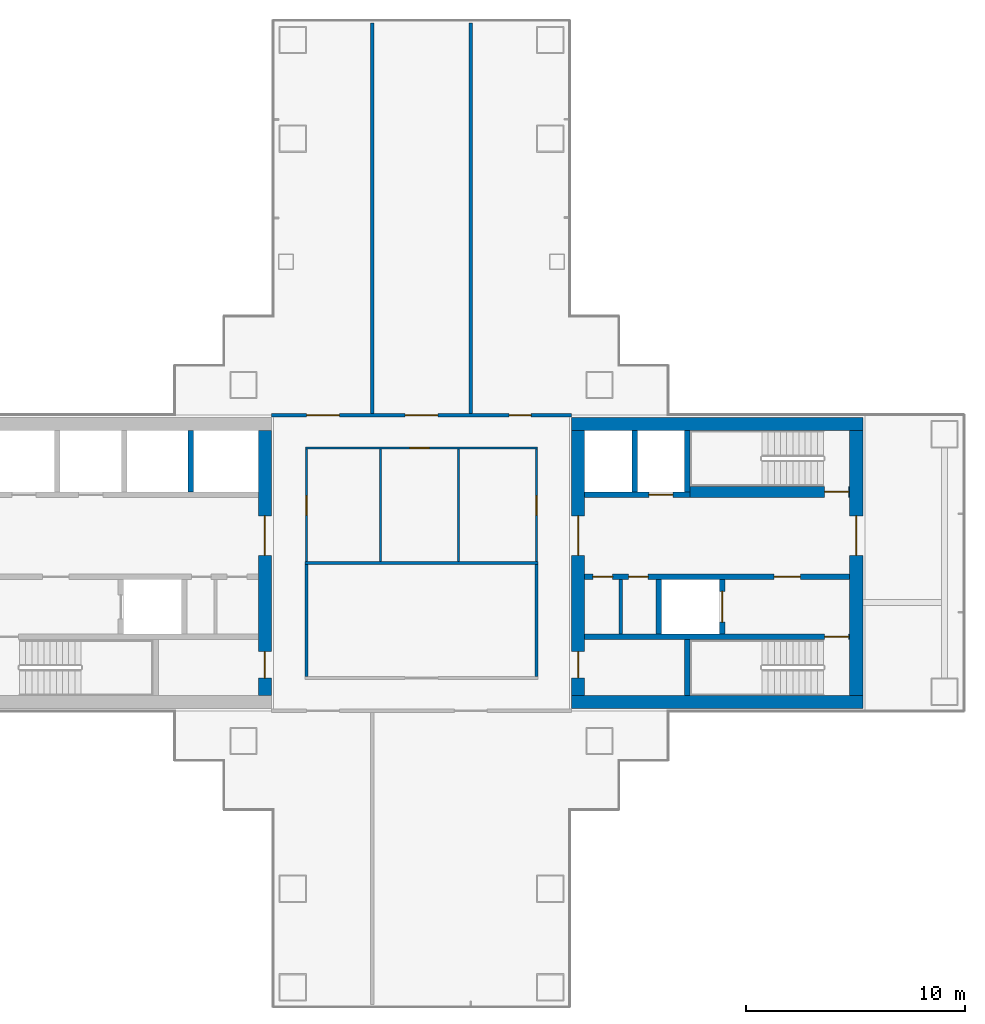
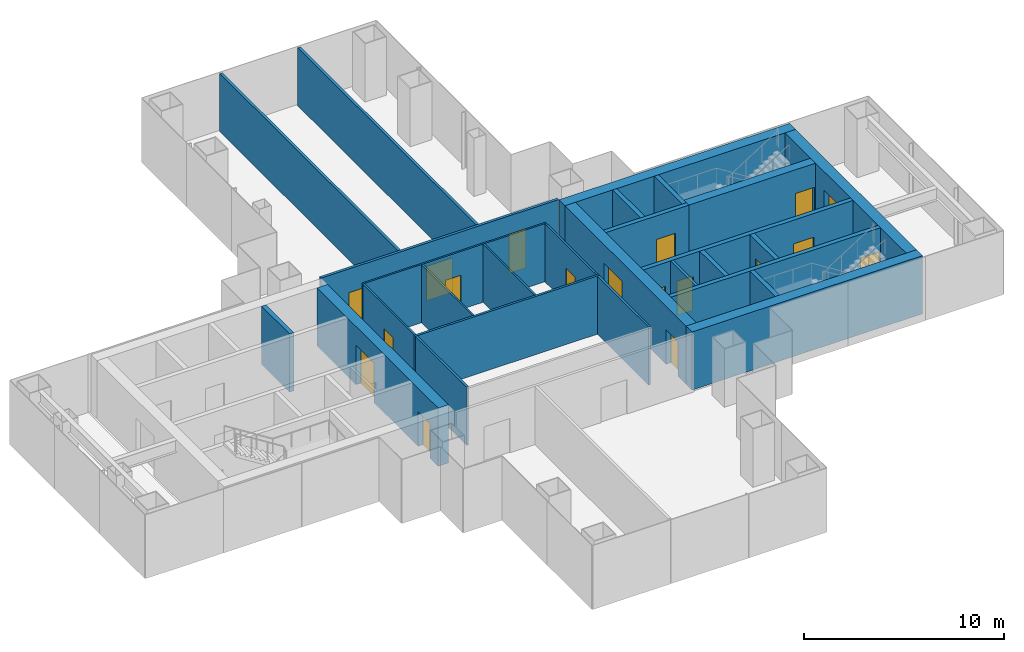
# One storey, part 14 of 18: 27 walls, 18 doors, 18 openings.
"""IFC4 building model written with IfcOpenShell, lengths in metres."""

from ifc_helpers import new_model, si_unit, direction, frame, frame_2d, origin, place, context, subcontext, project, spatial, rectangle, extrude, material, layer, layer_set, type_object, element, fill, save


model = new_model("IFC4")

# Units and contexts
model_context = context("Model", 3, precision=1e-05, world=origin(), true_north=direction((0.0, 1.0)))
body_context = subcontext(model_context, "Body", "Model", "MODEL_VIEW")
ifc_project = project(units=[si_unit("LENGTHUNIT", "METRE"), si_unit("AREAUNIT", "SQUARE_METRE"), si_unit("VOLUMEUNIT", "CUBIC_METRE"), si_unit("PLANEANGLEUNIT", "RADIAN"), si_unit("MASSUNIT", "GRAM", prefix="KILO")], contexts=[model_context])

# Site, building, storey
site_placement = place(None, origin())
site = spatial("IfcSite", under=ifc_project, at=site_placement, CompositionType="ELEMENT")
building_placement = place(site_placement, origin())
building = spatial("IfcBuilding", under=site, at=building_placement, Name="Shamsa Quay Exchange Towers", CompositionType="ELEMENT")
storey_placement = place(building_placement, frame((0.0, 0.0, 113.10009765625)))
storey = spatial("IfcBuildingStorey", under=building, at=storey_placement, Name="L26", CompositionType="ELEMENT", Elevation=113.10009765625)

# Wall, openings, doors
ifc_material_1 = material(Name="Concrete C70/85", Category="concrete")
ifc_layer_1 = layer(ifc_material_1, 0.60009765625)
ifc_layer_set_1 = layer_set([ifc_layer_1], Name="CORE WALL 600 C70/85")
wall_type_1 = type_object("IfcWallType", Name="CORE WALL 600 C70/85", PredefinedType="SHEAR", material=ifc_layer_set_1)
wall_1_placement = place(storey_placement, frame((26.60009765625, 6.050048828125, 0.0), z_axis=(0.0, 0.0, 1.0), x_axis=(0.0, -1.0, 0.0)))
wall_1 = element("IfcWall", 1, at=wall_1_placement, inside=storey, type_object=wall_type_1, Name="Core wall T2A-R12-PB", PredefinedType="SHEAR", context=body_context, shape_type="SweptSolid", body=[
    extrude(rectangle(XDim=12.10009765625, YDim=0.60009765625, at=frame_2d((6.050048828125, 0.0))), origin(), (0.0, 0.0, 1.0), 3.5498046875),
])
opening_1_placement = place(wall_1_placement, frame((10.10009765625, 0.0, 0.0)))
opening_1 = element("IfcOpeningElement", 2, at=opening_1_placement, cuts=wall_1, Name="Opening T2A-R12-RD02", PredefinedType="OPENING", context=body_context, shape_type="SweptSolid", body=[
    extrude(rectangle(XDim=1.199951171875, YDim=2.10009765625, at=frame_2d((0.60009765625, 1.050048828125))), frame((0.0, 0.31005859375, 0.0), z_axis=(0.0, -1.0, 0.0), x_axis=(1.0, 0.0, 0.0)), (0.0, 0.0, 1.0), 0.6201171875),
])
opening_2_placement = place(wall_1_placement, frame((3.89990234375, 0.0, 0.0)))
opening_2 = element("IfcOpeningElement", 3, at=opening_2_placement, cuts=wall_1, Name="Opening T2A-R12-LBD03", PredefinedType="OPENING", context=body_context, shape_type="SweptSolid", body=[
    extrude(rectangle(XDim=1.800048828125, YDim=2.39990234375, at=frame_2d((0.89990234375, 1.199951171875))), frame((0.0, 0.31005859375, 0.0), z_axis=(0.0, -1.0, 0.0), x_axis=(1.0, 0.0, 0.0)), (0.0, 0.0, 1.0), 0.6201171875),
])
ifc_material_2 = material(Name="Steel, fire rated", Category="steel")
door_type_1 = type_object("IfcDoorType", Name="LIFT LOBBY DOOR PAIR 1800", OperationType="DOUBLE_DOOR_SINGLE_SWING", PredefinedType="DOOR", material=ifc_material_2)
door_1_placement = place(opening_2_placement, origin())
door_1 = element("IfcDoor", 4, at=door_1_placement, inside=storey, type_object=door_type_1, Name="T2A-R12-LBD03", OperationType="DOUBLE_DOOR_SINGLE_SWING", OverallHeight=2.39990234375, OverallWidth=1.800048828125, PredefinedType="DOOR", context=body_context, shape_type="SweptSolid", body=[
    extrude(rectangle(XDim=1.800048828125, YDim=2.39990234375, at=frame_2d((0.89990234375, 1.199951171875))), frame((0.0, 0.02490234375, 0.0), z_axis=(0.0, -1.0, 0.0), x_axis=(1.0, 0.0, 0.0)), (0.0, 0.0, 1.0), 0.050048828125),
])
fill(opening_2, door_1)
door_type_2 = type_object("IfcDoorType", Name="RISER ACCESS DOOR 1200", OperationType="SINGLE_SWING_LEFT", PredefinedType="DOOR", material=ifc_material_2)
door_2_placement = place(opening_1_placement, origin())
door_2 = element("IfcDoor", 5, at=door_2_placement, inside=storey, type_object=door_type_2, Name="T2A-R12-RD02", OperationType="SINGLE_SWING_RIGHT", OverallHeight=2.10009765625, OverallWidth=1.199951171875, PredefinedType="DOOR", context=body_context, shape_type="SweptSolid", body=[
    extrude(rectangle(XDim=1.199951171875, YDim=2.10009765625, at=frame_2d((0.60009765625, 1.050048828125))), frame((0.0, 0.02490234375, 0.0), z_axis=(0.0, -1.0, 0.0), x_axis=(1.0, 0.0, 0.0)), (0.0, 0.0, 1.0), 0.050048828125),
])
fill(opening_1, door_2)

# Walls
for number, where, z_axis, x_axis, name in (
    (6, (53.89990234375, -6.35009765625, 0.0), (0.0, 0.0, 1.0), (-1.0, 0.0, 0.0), "Core wall T2B-R12-PS"),
    (7, (53.89990234375, 6.35009765625, 0.0), (0.0, 0.0, 1.0), (-1.0, 0.0, 0.0), "Core wall T2B-R12-PN"),
):
    element("IfcWall", number, at=place(storey_placement, frame(where, z_axis=z_axis, x_axis=x_axis)), inside=storey, type_object=wall_type_1, Name=name, PredefinedType="SHEAR", context=body_context, shape_type="SweptSolid", body=[
        extrude(rectangle(XDim=13.2998046875, YDim=0.60009765625, at=frame_2d((6.64990234375, 0.0))), origin(), (0.0, 0.0, 1.0), 3.5498046875),
    ])

# Wall, opening, door
wall_2_placement = place(storey_placement, frame((53.60009765625, -6.050048828125, 0.0), z_axis=(0.0, 0.0, 1.0), x_axis=(0.0, 1.0, 0.0)))
wall_2 = element("IfcWall", 8, at=wall_2_placement, inside=storey, type_object=wall_type_1, Name="Core wall T2B-R12-PF", PredefinedType="SHEAR", context=body_context, shape_type="SweptSolid", body=[
    extrude(rectangle(XDim=12.10009765625, YDim=0.60009765625, at=frame_2d((6.050048828125, 0.0))), origin(), (0.0, 0.0, 1.0), 3.5498046875),
])
opening_3_placement = place(wall_2_placement, frame((6.39990234375, 0.0, 0.0)))
opening_3 = element("IfcOpeningElement", 9, at=opening_3_placement, cuts=wall_2, Name="Opening T2B-R12-LBD01", PredefinedType="OPENING", context=body_context, shape_type="SweptSolid", body=[
    extrude(rectangle(XDim=1.800048828125, YDim=2.39990234375, at=frame_2d((0.89990234375, 1.199951171875))), frame((0.0, 0.31005859375, 0.0), z_axis=(0.0, -1.0, 0.0), x_axis=(1.0, 0.0, 0.0)), (0.0, 0.0, 1.0), 0.6201171875),
])
door_3_placement = place(opening_3_placement, origin())
door_3 = element("IfcDoor", 10, at=door_3_placement, inside=storey, type_object=door_type_1, Name="T2B-R12-LBD01", OperationType="DOUBLE_DOOR_SINGLE_SWING", OverallHeight=2.39990234375, OverallWidth=1.800048828125, PredefinedType="DOOR", context=body_context, shape_type="SweptSolid", body=[
    extrude(rectangle(XDim=1.800048828125, YDim=2.39990234375, at=frame_2d((0.89990234375, 1.199951171875))), frame((0.0, 0.02490234375, 0.0), z_axis=(0.0, -1.0, 0.0), x_axis=(1.0, 0.0, 0.0)), (0.0, 0.0, 1.0), 0.050048828125),
])
fill(opening_3, door_3)

# Wall, openings, doors
wall_3_placement = place(storey_placement, frame((40.89990234375, -6.050048828125, 0.0), z_axis=(0.0, 0.0, 1.0), x_axis=(0.0, 1.0, 0.0)))
wall_3 = element("IfcWall", 11, at=wall_3_placement, inside=storey, type_object=wall_type_1, Name="Core wall T2B-R12-PB", PredefinedType="SHEAR", context=body_context, shape_type="SweptSolid", body=[
    extrude(rectangle(XDim=12.10009765625, YDim=0.60009765625, at=frame_2d((6.050048828125, 0.0))), origin(), (0.0, 0.0, 1.0), 3.5498046875),
])
opening_4_placement = place(wall_3_placement, frame((0.800048828125, 0.0, 0.0)))
opening_4 = element("IfcOpeningElement", 12, at=opening_4_placement, cuts=wall_3, Name="Opening T2B-R12-RD02", PredefinedType="OPENING", context=body_context, shape_type="SweptSolid", body=[
    extrude(rectangle(XDim=1.199951171875, YDim=2.10009765625, at=frame_2d((0.60009765625, 1.050048828125))), frame((0.0, 0.31005859375, 0.0), z_axis=(0.0, -1.0, 0.0), x_axis=(1.0, 0.0, 0.0)), (0.0, 0.0, 1.0), 0.6201171875),
])
opening_5_placement = place(wall_3_placement, frame((6.39990234375, 0.0, 0.0)))
opening_5 = element("IfcOpeningElement", 13, at=opening_5_placement, cuts=wall_3, Name="Opening T2B-R12-LBD03", PredefinedType="OPENING", context=body_context, shape_type="SweptSolid", body=[
    extrude(rectangle(XDim=1.800048828125, YDim=2.39990234375, at=frame_2d((0.89990234375, 1.199951171875))), frame((0.0, 0.31005859375, 0.0), z_axis=(0.0, -1.0, 0.0), x_axis=(1.0, 0.0, 0.0)), (0.0, 0.0, 1.0), 0.6201171875),
])
door_4_placement = place(opening_5_placement, origin())
door_4 = element("IfcDoor", 14, at=door_4_placement, inside=storey, type_object=door_type_1, Name="T2B-R12-LBD03", OperationType="DOUBLE_DOOR_SINGLE_SWING", OverallHeight=2.39990234375, OverallWidth=1.800048828125, PredefinedType="DOOR", context=body_context, shape_type="SweptSolid", body=[
    extrude(rectangle(XDim=1.800048828125, YDim=2.39990234375, at=frame_2d((0.89990234375, 1.199951171875))), frame((0.0, 0.02490234375, 0.0), z_axis=(0.0, -1.0, 0.0), x_axis=(1.0, 0.0, 0.0)), (0.0, 0.0, 1.0), 0.050048828125),
])
fill(opening_5, door_4)
door_5_placement = place(opening_4_placement, origin())
door_5 = element("IfcDoor", 15, at=door_5_placement, inside=storey, type_object=door_type_2, Name="T2B-R12-RD02", OperationType="SINGLE_SWING_LEFT", OverallHeight=2.10009765625, OverallWidth=1.199951171875, PredefinedType="DOOR", context=body_context, shape_type="SweptSolid", body=[
    extrude(rectangle(XDim=1.199951171875, YDim=2.10009765625, at=frame_2d((0.60009765625, 1.050048828125))), frame((0.0, 0.02490234375, 0.0), z_axis=(0.0, -1.0, 0.0), x_axis=(1.0, 0.0, 0.0)), (0.0, 0.0, 1.0), 0.050048828125),
])
fill(opening_4, door_5)

# Walls
ifc_material_3 = material(Name="Gypsum board on steel studs, EI 60", Category="steel")
ifc_layer_2 = layer(ifc_material_3, 0.14990234375)
ifc_layer_set_2 = layer_set([ifc_layer_2], Name="FIRE PARTITION 150")
wall_type_2 = type_object("IfcWallType", Name="FIRE PARTITION 150", PredefinedType="PARTITIONING", material=ifc_layer_set_2)
wall_4_placement = place(storey_placement, frame((42.85009765625, -3.25, 0.0), z_axis=(0.0, 0.0, 1.0), x_axis=(0.0, 1.0, 0.0)))
element("IfcWall", 16, at=wall_4_placement, inside=storey, type_object=wall_type_2, Name="Partition T2B-R12-EC0", PredefinedType="PARTITIONING", context=body_context, shape_type="SweptSolid", body=[
    extrude(rectangle(XDim=2.5, YDim=0.14990234375, at=frame_2d((1.25, 0.0))), origin(), (0.0, 0.0, 1.0), 3.5498046875),
])
ifc_material_4 = material(Name="Laminated fire-resisting glass in a metal frame", Category="glass")
ifc_layer_3 = layer(ifc_material_4, 0.125)
ifc_layer_set_3 = layer_set([ifc_layer_3], Name="Glazed partition 125 mm EI 60")
wall_type_3 = type_object("IfcWallType", Name="Glazed partition 125 mm EI 60", PredefinedType="PARTITIONING", material=ifc_layer_set_3)
for number, where, z_axis, x_axis, name in (
    (17, (39.0, -5.1875, 0.0), (0.0, 0.0, 1.0), (0.0, 1.0, 0.0), "Partition T2-R12-W01"),
    (18, (28.5, -0.0625, 0.0), (0.0, 0.0, 1.0), (0.0, -1.0, 0.0), "Partition T2-R12-W03"),
):
    element("IfcWall", number, at=place(storey_placement, frame(where, z_axis=z_axis, x_axis=x_axis)), inside=storey, type_object=wall_type_3, Name=name, PredefinedType="PARTITIONING", context=body_context, shape_type="SweptSolid", body=[
        extrude(rectangle(XDim=5.125, YDim=0.125, at=frame_2d((2.5625, 0.0))), origin(), (0.0, 0.0, 1.0), 3.5498046875),
    ])
wall_5_placement = place(storey_placement, frame((39.0625, 0.0, 0.0), z_axis=(0.0, 0.0, 1.0), x_axis=(-1.0, 0.0, 0.0)))
element("IfcWall", 19, at=wall_5_placement, inside=storey, type_object=wall_type_3, Name="Partition T2-R12-W09", PredefinedType="PARTITIONING", context=body_context, shape_type="SweptSolid", body=[
    extrude(rectangle(XDim=10.625, YDim=0.125, at=frame_2d((5.3125, 0.0))), origin(), (0.0, 0.0, 1.0), 3.5498046875),
])

# Wall, opening, door
ifc_material_5 = material(Name="Gypsum board partition on metal studs")
ifc_layer_4 = layer(ifc_material_5, 0.10009765625)
ifc_layer_set_4 = layer_set([ifc_layer_4], Name="Partition 100 mm NOT RATED")
wall_type_4 = type_object("IfcWallType", Name="Partition 100 mm NOT RATED", PredefinedType="PARTITIONING", material=ifc_layer_set_4)
wall_6_placement = place(storey_placement, frame((39.0, 0.0625, 0.0), z_axis=(0.0, 0.0, 1.0), x_axis=(0.0, 1.0, 0.0)))
wall_6 = element("IfcWall", 20, at=wall_6_placement, inside=storey, type_object=wall_type_4, Name="Partition T2-R12-W04", PredefinedType="PARTITIONING", context=body_context, shape_type="SweptSolid", body=[
    extrude(rectangle(XDim=5.137451171875, YDim=0.10009765625, at=frame_2d((2.56884765625, 0.0))), origin(), (0.0, 0.0, 1.0), 3.5498046875),
])
opening_6_placement = place(wall_6_placement, frame((2.112548828125, 0.0, 0.0)))
opening_6 = element("IfcOpeningElement", 21, at=opening_6_placement, cuts=wall_6, Name="Opening T2-R12-D05", PredefinedType="OPENING", context=body_context, shape_type="SweptSolid", body=[
    extrude(rectangle(XDim=0.89990234375, YDim=2.10009765625, at=frame_2d((0.449951171875, 1.050048828125))), frame((0.0, 0.06005859375, 0.0), z_axis=(0.0, -1.0, 0.0), x_axis=(1.0, 0.0, 0.0)), (0.0, 0.0, 1.0), 0.1201171875),
])
ifc_material_6 = material(Name="Timber door leaf in a metal frame", Category="wood")
door_type_3 = type_object("IfcDoorType", Name="Door 900x2100 NOT RATED", OperationType="NOTDEFINED", PredefinedType="DOOR", material=ifc_material_6)
door_6_placement = place(opening_6_placement, origin())
door_6 = element("IfcDoor", 22, at=door_6_placement, inside=storey, type_object=door_type_3, Name="Door T2-R12-D05", OperationType="SINGLE_SWING_RIGHT", OverallHeight=2.10009765625, OverallWidth=0.89990234375, PredefinedType="DOOR", context=body_context, shape_type="SweptSolid", body=[
    extrude(rectangle(XDim=0.89990234375, YDim=2.10009765625, at=frame_2d((0.449951171875, 1.050048828125))), frame((0.0, 0.02490234375, 0.0), z_axis=(0.0, -1.0, 0.0), x_axis=(1.0, 0.0, 0.0)), (0.0, 0.0, 1.0), 0.050048828125),
])
fill(opening_6, door_6)

wall_7_placement = place(storey_placement, frame((39.050048828125, 5.25, 0.0), z_axis=(0.0, 0.0, 1.0), x_axis=(-1.0, 0.0, 0.0)))
wall_7 = element("IfcWall", 23, at=wall_7_placement, inside=storey, type_object=wall_type_4, Name="Partition T2-R12-W05", PredefinedType="PARTITIONING", context=body_context, shape_type="SweptSolid", body=[
    extrude(rectangle(XDim=10.60009765625, YDim=0.10009765625, at=frame_2d((5.300048828125, 0.0))), origin(), (0.0, 0.0, 1.0), 3.5498046875),
])
opening_7_placement = place(wall_7_placement, frame((4.943603515625, 0.0, 0.0)))
opening_7 = element("IfcOpeningElement", 24, at=opening_7_placement, cuts=wall_7, Name="Opening T2-R12-D07", PredefinedType="OPENING", context=body_context, shape_type="SweptSolid", body=[
    extrude(rectangle(XDim=0.89990234375, YDim=2.10009765625, at=frame_2d((0.449951171875, 1.050048828125))), frame((0.0, 0.06005859375, 0.0), z_axis=(0.0, -1.0, 0.0), x_axis=(1.0, 0.0, 0.0)), (0.0, 0.0, 1.0), 0.1201171875),
])
door_7_placement = place(opening_7_placement, origin())
door_7 = element("IfcDoor", 25, at=door_7_placement, inside=storey, type_object=door_type_3, Name="Door T2-R12-D07", OperationType="SINGLE_SWING_RIGHT", OverallHeight=2.10009765625, OverallWidth=0.89990234375, PredefinedType="DOOR", context=body_context, shape_type="SweptSolid", body=[
    extrude(rectangle(XDim=0.89990234375, YDim=2.10009765625, at=frame_2d((0.449951171875, 1.050048828125))), frame((0.0, 0.02490234375, 0.0), z_axis=(0.0, -1.0, 0.0), x_axis=(1.0, 0.0, 0.0)), (0.0, 0.0, 1.0), 0.050048828125),
])
fill(opening_7, door_7)

wall_8_placement = place(storey_placement, frame((28.5, 5.199951171875, 0.0), z_axis=(0.0, 0.0, 1.0), x_axis=(0.0, -1.0, 0.0)))
wall_8 = element("IfcWall", 26, at=wall_8_placement, inside=storey, type_object=wall_type_4, Name="Partition T2-R12-W06", PredefinedType="PARTITIONING", context=body_context, shape_type="SweptSolid", body=[
    extrude(rectangle(XDim=5.137451171875, YDim=0.10009765625, at=frame_2d((2.56884765625, 0.0))), origin(), (0.0, 0.0, 1.0), 3.5498046875),
])
opening_8_placement = place(wall_8_placement, frame((2.125, 0.0, 0.0)))
opening_8 = element("IfcOpeningElement", 27, at=opening_8_placement, cuts=wall_8, Name="Opening T2-R12-D06", PredefinedType="OPENING", context=body_context, shape_type="SweptSolid", body=[
    extrude(rectangle(XDim=0.89990234375, YDim=2.10009765625, at=frame_2d((0.449951171875, 1.050048828125))), frame((0.0, 0.06005859375, 0.0), z_axis=(0.0, -1.0, 0.0), x_axis=(1.0, 0.0, 0.0)), (0.0, 0.0, 1.0), 0.1201171875),
])
door_8_placement = place(opening_8_placement, origin())
door_8 = element("IfcDoor", 28, at=door_8_placement, inside=storey, type_object=door_type_3, Name="Door T2-R12-D06", OperationType="SINGLE_SWING_LEFT", OverallHeight=2.10009765625, OverallWidth=0.89990234375, PredefinedType="DOOR", context=body_context, shape_type="SweptSolid", body=[
    extrude(rectangle(XDim=0.89990234375, YDim=2.10009765625, at=frame_2d((0.449951171875, 1.050048828125))), frame((0.0, 0.02490234375, 0.0), z_axis=(0.0, -1.0, 0.0), x_axis=(1.0, 0.0, 0.0)), (0.0, 0.0, 1.0), 0.050048828125),
])
fill(opening_8, door_8)

# Walls
for number, where, z_axis, x_axis, name in (
    (29, (35.4375, 5.199951171875, 0.0), (0.0, 0.0, 1.0), (0.0, -1.0, 0.0), "Partition T2-R12-W10"),
    (30, (31.875, 5.199951171875, 0.0), (0.0, 0.0, 1.0), (0.0, -1.0, 0.0), "Partition T2-R12-W11"),
):
    element("IfcWall", number, at=place(storey_placement, frame(where, z_axis=z_axis, x_axis=x_axis)), inside=storey, type_object=wall_type_4, Name=name, PredefinedType="PARTITIONING", context=body_context, shape_type="SweptSolid", body=[
        extrude(rectangle(XDim=5.137451171875, YDim=0.10009765625, at=frame_2d((2.56884765625, 0.0))), origin(), (0.0, 0.0, 1.0), 3.5498046875),
    ])

# Wall, openings, doors
ifc_layer_5 = layer(ifc_material_5, 0.14990234375)
ifc_layer_set_5 = layer_set([ifc_layer_5], Name="Partition 150 mm EI 60")
wall_type_5 = type_object("IfcWallType", Name="Partition 150 mm EI 60", PredefinedType="PARTITIONING", material=ifc_layer_set_5)
wall_9_placement = place(storey_placement, frame((26.89990234375, 6.75, 0.0)))
wall_9 = element("IfcWall", 31, at=wall_9_placement, inside=storey, type_object=wall_type_5, Name="Partition T2-R12-W07", PredefinedType="PARTITIONING", context=body_context, shape_type="SweptSolid", body=[
    extrude(rectangle(XDim=13.7001953125, YDim=0.14990234375, at=frame_2d((6.85009765625, 0.0))), origin(), (0.0, 0.0, 1.0), 3.5498046875),
])
opening_9_placement = place(wall_9_placement, frame((10.85009765625, 0.0, 0.0)))
opening_9 = element("IfcOpeningElement", 32, at=opening_9_placement, cuts=wall_9, Name="Opening T2-R12-D01", PredefinedType="OPENING", context=body_context, shape_type="SweptSolid", body=[
    extrude(rectangle(XDim=1.0, YDim=2.39990234375, at=frame_2d((0.5, 1.199951171875))), frame((0.0, 0.0849609375, 0.0), z_axis=(0.0, -1.0, 0.0), x_axis=(1.0, 0.0, 0.0)), (0.0, 0.0, 1.0), 0.169921875),
])
opening_10_placement = place(wall_9_placement, frame((6.10009765625, 0.0, 0.0)))
opening_10 = element("IfcOpeningElement", 33, at=opening_10_placement, cuts=wall_9, Name="Opening T2-R12-D02", PredefinedType="OPENING", context=body_context, shape_type="SweptSolid", body=[
    extrude(rectangle(XDim=1.5, YDim=2.10009765625, at=frame_2d((0.75, 1.050048828125))), frame((0.0, 0.0849609375, 0.0), z_axis=(0.0, -1.0, 0.0), x_axis=(1.0, 0.0, 0.0)), (0.0, 0.0, 1.0), 0.169921875),
])
opening_11_placement = place(wall_9_placement, frame((1.60009765625, 0.0, 0.0)))
opening_11 = element("IfcOpeningElement", 34, at=opening_11_placement, cuts=wall_9, Name="Opening T2-R12-D03", PredefinedType="OPENING", context=body_context, shape_type="SweptSolid", body=[
    extrude(rectangle(XDim=1.5, YDim=2.10009765625, at=frame_2d((0.75, 1.050048828125))), frame((0.0, 0.0849609375, 0.0), z_axis=(0.0, -1.0, 0.0), x_axis=(1.0, 0.0, 0.0)), (0.0, 0.0, 1.0), 0.169921875),
])
door_type_4 = type_object("IfcDoorType", Name="Door 1000x2400 FD30S", OperationType="NOTDEFINED", PredefinedType="DOOR", material=ifc_material_6)
door_9_placement = place(opening_9_placement, origin())
door_9 = element("IfcDoor", 35, at=door_9_placement, inside=storey, type_object=door_type_4, Name="Door T2-R12-D01", OperationType="SINGLE_SWING_RIGHT", OverallHeight=2.39990234375, OverallWidth=1.0, PredefinedType="DOOR", context=body_context, shape_type="SweptSolid", body=[
    extrude(rectangle(XDim=1.0, YDim=2.39990234375, at=frame_2d((0.5, 1.199951171875))), frame((0.0, 0.02490234375, 0.0), z_axis=(0.0, -1.0, 0.0), x_axis=(1.0, 0.0, 0.0)), (0.0, 0.0, 1.0), 0.050048828125),
])
fill(opening_9, door_9)
door_type_5 = type_object("IfcDoorType", Name="Door 1500x2100 FD30S pair", OperationType="NOTDEFINED", PredefinedType="DOOR", material=ifc_material_6)
door_10_placement = place(opening_10_placement, origin())
door_10 = element("IfcDoor", 36, at=door_10_placement, inside=storey, type_object=door_type_5, Name="Door T2-R12-D02", OperationType="DOUBLE_DOOR_SINGLE_SWING", OverallHeight=2.10009765625, OverallWidth=1.5, PredefinedType="DOOR", context=body_context, shape_type="SweptSolid", body=[
    extrude(rectangle(XDim=1.5, YDim=2.10009765625, at=frame_2d((0.75, 1.050048828125))), frame((0.0, 0.02490234375, 0.0), z_axis=(0.0, -1.0, 0.0), x_axis=(1.0, 0.0, 0.0)), (0.0, 0.0, 1.0), 0.050048828125),
])
fill(opening_10, door_10)
door_11_placement = place(opening_11_placement, origin())
door_11 = element("IfcDoor", 37, at=door_11_placement, inside=storey, type_object=door_type_5, Name="Door T2-R12-D03", OperationType="DOUBLE_DOOR_SINGLE_SWING", OverallHeight=2.10009765625, OverallWidth=1.5, PredefinedType="DOOR", context=body_context, shape_type="SweptSolid", body=[
    extrude(rectangle(XDim=1.5, YDim=2.10009765625, at=frame_2d((0.75, 1.050048828125))), frame((0.0, 0.02490234375, 0.0), z_axis=(0.0, -1.0, 0.0), x_axis=(1.0, 0.0, 0.0)), (0.0, 0.0, 1.0), 0.050048828125),
])
fill(opening_11, door_11)

# Walls
for number, where, z_axis, x_axis, name in (
    (38, (36.0, 24.655029296875, 0.0), (0.0, 0.0, 1.0), (0.0, -1.0, 0.0), "Partition T2-R12-W12"),
    (39, (31.5, 24.655029296875, 0.0), (0.0, 0.0, 1.0), (0.0, -1.0, 0.0), "Partition T2-R12-W14"),
):
    element("IfcWall", number, at=place(storey_placement, frame(where, z_axis=z_axis, x_axis=x_axis)), inside=storey, type_object=wall_type_5, Name=name, PredefinedType="PARTITIONING", context=body_context, shape_type="SweptSolid", body=[
        extrude(rectangle(XDim=17.830078125, YDim=0.14990234375, at=frame_2d((8.9150390625, 0.0))), origin(), (0.0, 0.0, 1.0), 3.5498046875),
    ])
ifc_material_7 = material(Name="Concrete C50/60", Category="concrete")
ifc_layer_6 = layer(ifc_material_7, 0.25)
ifc_layer_set_6 = layer_set([ifc_layer_6], Name="SHAFT WALL 250 C50/60")
wall_type_6 = type_object("IfcWallType", Name="SHAFT WALL 250 C50/60", PredefinedType="SHEAR", material=ifc_layer_set_6)
wall_10_placement = place(storey_placement, frame((23.22509765625, 3.25, 0.0), z_axis=(0.0, 0.0, 1.0), x_axis=(0.0, 1.0, 0.0)))
element("IfcWall", 40, at=wall_10_placement, inside=storey, type_object=wall_type_6, Name="Shaft wall T2A-R12-D2", PredefinedType="SHEAR", context=body_context, shape_type="SweptSolid", body=[
    extrude(rectangle(XDim=2.800048828125, YDim=0.25, at=frame_2d((1.39990234375, 0.0))), origin(), (0.0, 0.0, 1.0), 3.5498046875),
])

# Wall, opening, door
wall_11_placement = place(storey_placement, frame((53.300048828125, -3.375, 0.0), z_axis=(0.0, 0.0, 1.0), x_axis=(-1.0, 0.0, 0.0)))
wall_11 = element("IfcWall", 41, at=wall_11_placement, inside=storey, type_object=wall_type_6, Name="Shaft wall T2B-R12-STL", PredefinedType="SHEAR", context=body_context, shape_type="SweptSolid", body=[
    extrude(rectangle(XDim=12.10009765625, YDim=0.25, at=frame_2d((6.050048828125, 0.0))), origin(), (0.0, 0.0, 1.0), 3.5498046875),
])
opening_12_placement = place(wall_11_placement, frame((0.050048828125, 0.0, 0.0)))
opening_12 = element("IfcOpeningElement", 42, at=opening_12_placement, cuts=wall_11, Name="Opening T2B-R12-SD04", PredefinedType="OPENING", context=body_context, shape_type="SweptSolid", body=[
    extrude(rectangle(XDim=1.10009765625, YDim=2.10009765625, at=frame_2d((0.550048828125, 1.050048828125))), frame((0.0, 0.135009765625, 0.0), z_axis=(0.0, -1.0, 0.0), x_axis=(1.0, 0.0, 0.0)), (0.0, 0.0, 1.0), 0.27001953125),
])
door_type_6 = type_object("IfcDoorType", Name="STAIR DOOR 1100", OperationType="SINGLE_SWING_LEFT", PredefinedType="DOOR", material=ifc_material_2)
door_12_placement = place(opening_12_placement, origin())
door_12 = element("IfcDoor", 43, at=door_12_placement, inside=storey, type_object=door_type_6, Name="T2B-R12-SD04", OperationType="SINGLE_SWING_LEFT", OverallHeight=2.10009765625, OverallWidth=1.10009765625, PredefinedType="DOOR", context=body_context, shape_type="SweptSolid", body=[
    extrude(rectangle(XDim=1.10009765625, YDim=2.10009765625, at=frame_2d((0.550048828125, 1.050048828125))), frame((0.0, 0.02490234375, 0.0), z_axis=(0.0, -1.0, 0.0), x_axis=(1.0, 0.0, 0.0)), (0.0, 0.0, 1.0), 0.050048828125),
])
fill(opening_12, door_12)

# Wall
wall_12_placement = place(storey_placement, frame((45.875, -6.050048828125, 0.0), z_axis=(0.0, 0.0, 1.0), x_axis=(0.0, 1.0, 0.0)))
element("IfcWall", 44, at=wall_12_placement, inside=storey, type_object=wall_type_6, Name="Shaft wall T2B-R12-STF", PredefinedType="SHEAR", context=body_context, shape_type="SweptSolid", body=[
    extrude(rectangle(XDim=2.550048828125, YDim=0.25, at=frame_2d((1.27490234375, 0.0))), origin(), (0.0, 0.0, 1.0), 3.5498046875),
])

# Wall, openings, doors
wall_13_placement = place(storey_placement, frame((53.300048828125, -0.625, 0.0), z_axis=(0.0, 0.0, 1.0), x_axis=(-1.0, 0.0, 0.0)))
wall_13 = element("IfcWall", 45, at=wall_13_placement, inside=storey, type_object=wall_type_6, Name="Shaft wall T2B-R12-B", PredefinedType="SHEAR", context=body_context, shape_type="SweptSolid", body=[
    extrude(rectangle(XDim=12.10009765625, YDim=0.25, at=frame_2d((6.050048828125, 0.0))), origin(), (0.0, 0.0, 1.0), 3.5498046875),
])
opening_13_placement = place(wall_13_placement, frame((2.25, 0.0, 0.0)))
opening_13 = element("IfcOpeningElement", 46, at=opening_13_placement, cuts=wall_13, Name="Opening T2B-R12-FD05", PredefinedType="OPENING", context=body_context, shape_type="SweptSolid", body=[
    extrude(rectangle(XDim=1.199951171875, YDim=2.10009765625, at=frame_2d((0.60009765625, 1.050048828125))), frame((0.0, 0.135009765625, 0.0), z_axis=(0.0, -1.0, 0.0), x_axis=(1.0, 0.0, 0.0)), (0.0, 0.0, 1.0), 0.27001953125),
])
opening_14_placement = place(wall_13_placement, frame((9.199951171875, 0.0, 0.0)))
opening_14 = element("IfcOpeningElement", 47, at=opening_14_placement, cuts=wall_13, Name="Opening T2B-R12-SV06", PredefinedType="OPENING", context=body_context, shape_type="SweptSolid", body=[
    extrude(rectangle(XDim=0.89990234375, YDim=2.10009765625, at=frame_2d((0.449951171875, 1.050048828125))), frame((0.0, 0.135009765625, 0.0), z_axis=(0.0, -1.0, 0.0), x_axis=(1.0, 0.0, 0.0)), (0.0, 0.0, 1.0), 0.27001953125),
])
opening_15_placement = place(wall_13_placement, frame((10.824951171875, 0.0, 0.0)))
opening_15 = element("IfcOpeningElement", 48, at=opening_15_placement, cuts=wall_13, Name="Opening T2B-R12-SV07", PredefinedType="OPENING", context=body_context, shape_type="SweptSolid", body=[
    extrude(rectangle(XDim=0.89990234375, YDim=2.10009765625, at=frame_2d((0.449951171875, 1.050048828125))), frame((0.0, 0.135009765625, 0.0), z_axis=(0.0, -1.0, 0.0), x_axis=(1.0, 0.0, 0.0)), (0.0, 0.0, 1.0), 0.27001953125),
])
door_type_7 = type_object("IfcDoorType", Name="FIRE SERVICE LOBBY DOOR 1200", OperationType="SINGLE_SWING_LEFT", PredefinedType="DOOR", material=ifc_material_2)
door_13_placement = place(opening_13_placement, origin())
door_13 = element("IfcDoor", 49, at=door_13_placement, inside=storey, type_object=door_type_7, Name="T2B-R12-FD05", OperationType="SINGLE_SWING_LEFT", OverallHeight=2.10009765625, OverallWidth=1.199951171875, PredefinedType="DOOR", context=body_context, shape_type="SweptSolid", body=[
    extrude(rectangle(XDim=1.199951171875, YDim=2.10009765625, at=frame_2d((0.60009765625, 1.050048828125))), frame((0.0, 0.02490234375, 0.0), z_axis=(0.0, -1.0, 0.0), x_axis=(1.0, 0.0, 0.0)), (0.0, 0.0, 1.0), 0.050048828125),
])
fill(opening_13, door_13)
door_type_8 = type_object("IfcDoorType", Name="SERVICE ROOM DOOR 900", OperationType="SINGLE_SWING_LEFT", PredefinedType="DOOR", material=ifc_material_2)
door_14_placement = place(opening_14_placement, origin())
door_14 = element("IfcDoor", 50, at=door_14_placement, inside=storey, type_object=door_type_8, Name="T2B-R12-SV06", OperationType="SINGLE_SWING_RIGHT", OverallHeight=2.10009765625, OverallWidth=0.89990234375, PredefinedType="DOOR", context=body_context, shape_type="SweptSolid", body=[
    extrude(rectangle(XDim=0.89990234375, YDim=2.10009765625, at=frame_2d((0.449951171875, 1.050048828125))), frame((0.0, 0.02490234375, 0.0), z_axis=(0.0, -1.0, 0.0), x_axis=(1.0, 0.0, 0.0)), (0.0, 0.0, 1.0), 0.050048828125),
])
fill(opening_14, door_14)
door_15_placement = place(opening_15_placement, origin())
door_15 = element("IfcDoor", 51, at=door_15_placement, inside=storey, type_object=door_type_8, Name="T2B-R12-SV07", OperationType="SINGLE_SWING_RIGHT", OverallHeight=2.10009765625, OverallWidth=0.89990234375, PredefinedType="DOOR", context=body_context, shape_type="SweptSolid", body=[
    extrude(rectangle(XDim=0.89990234375, YDim=2.10009765625, at=frame_2d((0.449951171875, 1.050048828125))), frame((0.0, 0.02490234375, 0.0), z_axis=(0.0, -1.0, 0.0), x_axis=(1.0, 0.0, 0.0)), (0.0, 0.0, 1.0), 0.050048828125),
])
fill(opening_15, door_15)

# Wall, opening, door
wall_14_placement = place(storey_placement, frame((47.47509765625, -3.25, 0.0), z_axis=(0.0, 0.0, 1.0), x_axis=(0.0, 1.0, 0.0)))
wall_14 = element("IfcWall", 52, at=wall_14_placement, inside=storey, type_object=wall_type_6, Name="Shaft wall T2B-R12-FFF", PredefinedType="SHEAR", context=body_context, shape_type="SweptSolid", body=[
    extrude(rectangle(XDim=2.5, YDim=0.25, at=frame_2d((1.25, 0.0))), origin(), (0.0, 0.0, 1.0), 3.5498046875),
])
opening_16_placement = place(wall_14_placement, frame((0.550048828125, 0.0, 0.0)))
opening_16 = element("IfcOpeningElement", 53, at=opening_16_placement, cuts=wall_14, Name="Opening T2B-R12-LDG08", PredefinedType="OPENING", context=body_context, shape_type="SweptSolid", body=[
    extrude(rectangle(XDim=1.39990234375, YDim=2.39990234375, at=frame_2d((0.699951171875, 1.199951171875))), frame((0.0, 0.135009765625, 0.0), z_axis=(0.0, -1.0, 0.0), x_axis=(1.0, 0.0, 0.0)), (0.0, 0.0, 1.0), 0.27001953125),
])
door_type_9 = type_object("IfcDoorType", Name="GOODS LIFT LANDING DOOR 1400", OperationType="SLIDING_TO_LEFT", PredefinedType="DOOR", material=ifc_material_2)
door_16_placement = place(opening_16_placement, origin())
door_16 = element("IfcDoor", 54, at=door_16_placement, inside=storey, type_object=door_type_9, Name="T2B-R12-LDG08", OperationType="SLIDING_TO_LEFT", OverallHeight=2.39990234375, OverallWidth=1.39990234375, PredefinedType="DOOR", context=body_context, shape_type="SweptSolid", body=[
    extrude(rectangle(XDim=1.39990234375, YDim=2.39990234375, at=frame_2d((0.699951171875, 1.199951171875))), frame((0.0, 0.02490234375, 0.0), z_axis=(0.0, -1.0, 0.0), x_axis=(1.0, 0.0, 0.0)), (0.0, 0.0, 1.0), 0.050048828125),
])
fill(opening_16, door_16)

# Wall
wall_15_placement = place(storey_placement, frame((44.574951171875, -3.25, 0.0), z_axis=(0.0, 0.0, 1.0), x_axis=(0.0, 1.0, 0.0)))
element("IfcWall", 55, at=wall_15_placement, inside=storey, type_object=wall_type_6, Name="Shaft wall T2B-R12-FFB", PredefinedType="SHEAR", context=body_context, shape_type="SweptSolid", body=[
    extrude(rectangle(XDim=2.5, YDim=0.25, at=frame_2d((1.25, 0.0))), origin(), (0.0, 0.0, 1.0), 3.5498046875),
])

# Wall, opening, door
wall_16_placement = place(storey_placement, frame((46.0, 3.125, 0.0), z_axis=(0.0, 0.0, 1.0), x_axis=(-1.0, 0.0, 0.0)))
wall_16 = element("IfcWall", 56, at=wall_16_placement, inside=storey, type_object=wall_type_6, Name="Shaft wall T2B-R12-N2", PredefinedType="SHEAR", context=body_context, shape_type="SweptSolid", body=[
    extrude(rectangle(XDim=4.800048828125, YDim=0.25, at=frame_2d((2.39990234375, 0.0))), origin(), (0.0, 0.0, 1.0), 3.5498046875),
])
opening_17_placement = place(wall_16_placement, frame((0.77490234375, 0.0, 0.0)))
opening_17 = element("IfcOpeningElement", 57, at=opening_17_placement, cuts=wall_16, Name="Opening T2B-R12-LD10", PredefinedType="OPENING", context=body_context, shape_type="SweptSolid", body=[
    extrude(rectangle(XDim=1.10009765625, YDim=2.10009765625, at=frame_2d((0.550048828125, 1.050048828125))), frame((0.0, 0.135009765625, 0.0), z_axis=(0.0, -1.0, 0.0), x_axis=(1.0, 0.0, 0.0)), (0.0, 0.0, 1.0), 0.27001953125),
])
door_type_10 = type_object("IfcDoorType", Name="LANDING DOOR 1100", OperationType="SLIDING_TO_LEFT", PredefinedType="DOOR", material=ifc_material_2)
door_17_placement = place(opening_17_placement, origin())
door_17 = element("IfcDoor", 58, at=door_17_placement, inside=storey, type_object=door_type_10, Name="T2B-R12-LD10", OperationType="SLIDING_TO_LEFT", OverallHeight=2.10009765625, OverallWidth=1.10009765625, PredefinedType="DOOR", context=body_context, shape_type="SweptSolid", body=[
    extrude(rectangle(XDim=1.10009765625, YDim=2.10009765625, at=frame_2d((0.550048828125, 1.050048828125))), frame((0.0, 0.02490234375, 0.0), z_axis=(0.0, -1.0, 0.0), x_axis=(1.0, 0.0, 0.0)), (0.0, 0.0, 1.0), 0.050048828125),
])
fill(opening_17, door_17)

# Walls
for number, where, z_axis, x_axis, name in (
    (59, (45.875, 3.25, 0.0), (0.0, 0.0, 1.0), (0.0, 1.0, 0.0), "Shaft wall T2B-R12-STF2"),
    (60, (43.47509765625, 3.25, 0.0), (0.0, 0.0, 1.0), (0.0, 1.0, 0.0), "Shaft wall T2B-R12-D0"),
):
    element("IfcWall", number, at=place(storey_placement, frame(where, z_axis=z_axis, x_axis=x_axis)), inside=storey, type_object=wall_type_6, Name=name, PredefinedType="SHEAR", context=body_context, shape_type="SweptSolid", body=[
        extrude(rectangle(XDim=2.800048828125, YDim=0.25, at=frame_2d((1.39990234375, 0.0))), origin(), (0.0, 0.0, 1.0), 3.5498046875),
    ])

# Wall, opening, door
ifc_layer_7 = layer(ifc_material_7, 0.5)
ifc_layer_set_7 = layer_set([ifc_layer_7], Name="SHAFT WALL 500 C50/60")
wall_type_7 = type_object("IfcWallType", Name="SHAFT WALL 500 C50/60", PredefinedType="SHEAR", material=ifc_layer_set_7)
wall_17_placement = place(storey_placement, frame((46.0, 3.25, 0.0)))
wall_17 = element("IfcWall", 61, at=wall_17_placement, inside=storey, type_object=wall_type_7, Name="Shaft wall T2B-R12-N", PredefinedType="SHEAR", context=body_context, shape_type="SweptSolid", body=[
    extrude(rectangle(XDim=7.300048828125, YDim=0.5, at=frame_2d((3.64990234375, 0.0))), origin(), (0.0, 0.0, 1.0), 3.5498046875),
])
opening_18_placement = place(wall_17_placement, frame((6.14990234375, 0.0, 0.0)))
opening_18 = element("IfcOpeningElement", 62, at=opening_18_placement, cuts=wall_17, Name="Opening T2B-R12-SD09", PredefinedType="OPENING", context=body_context, shape_type="SweptSolid", body=[
    extrude(rectangle(XDim=1.10009765625, YDim=2.10009765625, at=frame_2d((0.550048828125, 1.050048828125))), frame((0.0, 0.260009765625, 0.0), z_axis=(0.0, -1.0, 0.0), x_axis=(1.0, 0.0, 0.0)), (0.0, 0.0, 1.0), 0.52001953125),
])
door_18_placement = place(opening_18_placement, origin())
door_18 = element("IfcDoor", 63, at=door_18_placement, inside=storey, type_object=door_type_6, Name="T2B-R12-SD09", OperationType="SINGLE_SWING_RIGHT", OverallHeight=2.10009765625, OverallWidth=1.10009765625, PredefinedType="DOOR", context=body_context, shape_type="SweptSolid", body=[
    extrude(rectangle(XDim=1.10009765625, YDim=2.10009765625, at=frame_2d((0.550048828125, 1.050048828125))), frame((0.0, 0.02490234375, 0.0), z_axis=(0.0, -1.0, 0.0), x_axis=(1.0, 0.0, 0.0)), (0.0, 0.0, 1.0), 0.050048828125),
])
fill(opening_18, door_18)

save(model, "model.ifc")
